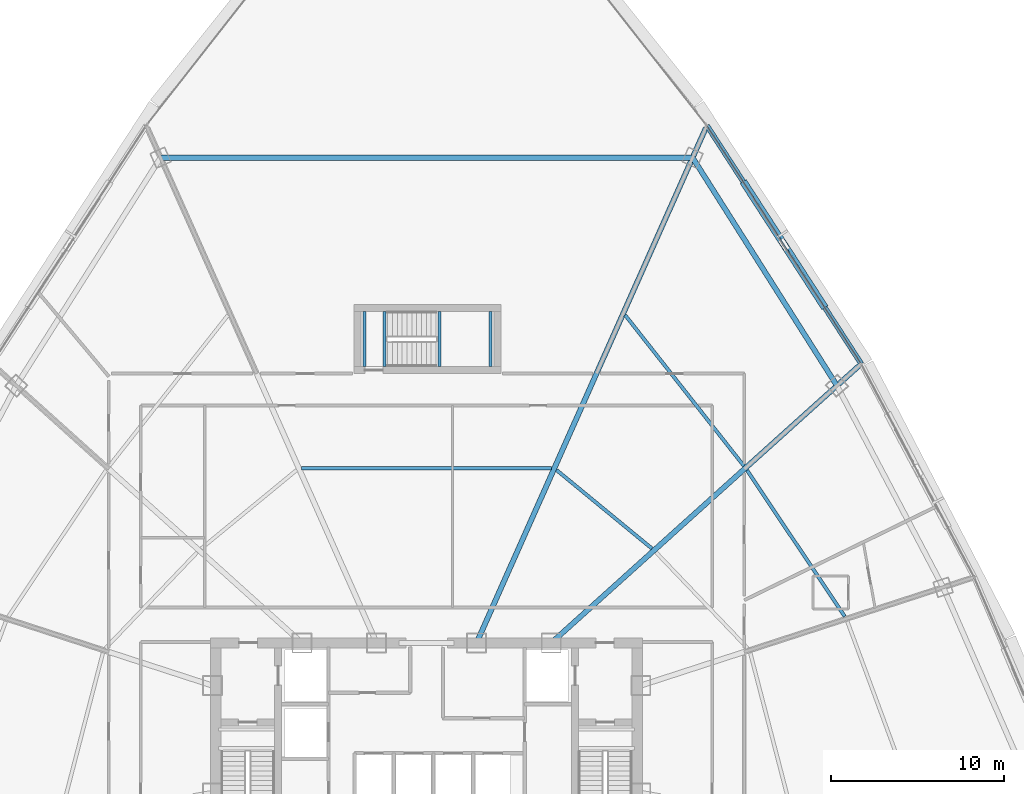
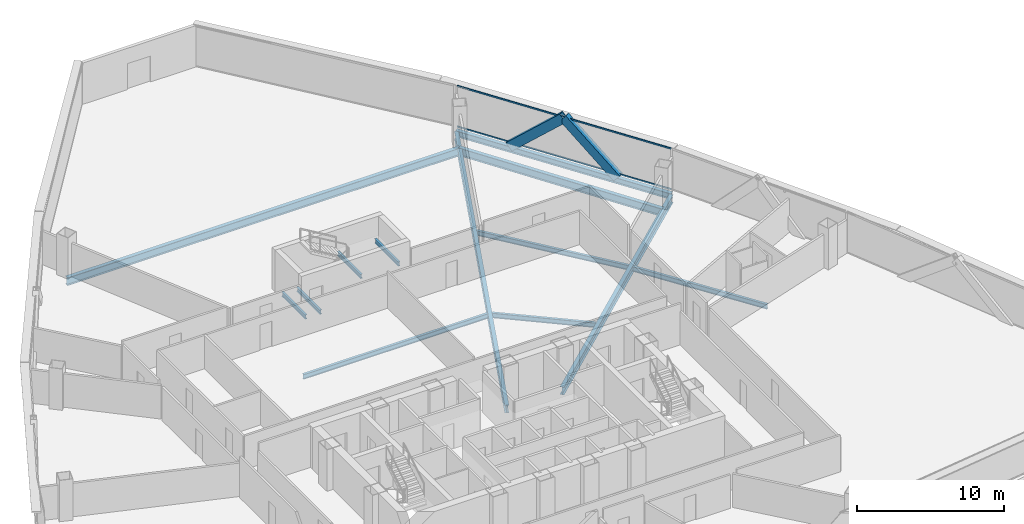
# One storey, part 19 of 42: 13 beams, 4 members, 1 element without a shape of its own.
"""IFC4 building model written with IfcOpenShell, lengths in metres."""

from ifc_helpers import new_model, si_unit, direction, frame, origin, origin_2d, place, context, subcontext, project, spatial, hollow_rectangle, i_section, extrude, source, transform, mapped, material, layer, layer_set, material_profile, profile_set, type_object, element, aggregate, save


model = new_model("IFC4")

# Units and contexts
model_context = context("Model", 3, precision=1e-05, world=origin(), true_north=direction((0.0, 1.0)))
body_context = subcontext(model_context, "Body", "Model", "MODEL_VIEW")
ifc_project = project(units=[si_unit("LENGTHUNIT", "METRE"), si_unit("AREAUNIT", "SQUARE_METRE"), si_unit("VOLUMEUNIT", "CUBIC_METRE"), si_unit("PLANEANGLEUNIT", "RADIAN"), si_unit("MASSUNIT", "GRAM", prefix="KILO"), si_unit("THERMODYNAMICTEMPERATUREUNIT", "KELVIN"), si_unit("POWERUNIT", "WATT")], contexts=[model_context])

# Site, building, storey
site_placement = place(None, origin())
site = spatial("IfcSite", under=ifc_project, at=site_placement, CompositionType="ELEMENT")
building_placement = place(site_placement, origin())
building = spatial("IfcBuilding", under=site, at=building_placement, Name="Yunzhuo Pagoda Commons", CompositionType="ELEMENT")
storey_placement = place(building_placement, frame((0.0, 0.0, 133.510009765625)))
storey = spatial("IfcBuildingStorey", under=building, at=storey_placement, Name="L33", CompositionType="ELEMENT", Elevation=133.510009765625)

# Beams
ifc_material_1 = material(Name="Structural steel Q355B", Category="steel")
ifc_material_profile_1 = material_profile(ifc_material_1, i_section(OverallWidth=0.175048828125, OverallDepth=0.35009765625, WebThickness=0.007080078125, FlangeThickness=0.010986328125, at=origin_2d()), Name="Structural steel Q355B")
ifc_profile_set_1 = profile_set([ifc_material_profile_1], Name="Structural steel Q355B")
beam_type_1 = type_object("IfcBeamType", Name="B-JS2 Joist HN 350x175x7x11", PredefinedType="JOIST", material=ifc_profile_set_1)
shared_shape_1 = source(origin(), body_context, "Body", "SweptSolid", [
    extrude(i_section(OverallWidth=0.175048828125, OverallDepth=0.35009765625, WebThickness=0.007080078125, FlangeThickness=0.010986328125, at=origin_2d()), origin(), (0.0, 0.0, 1.0), 3.199951171875),
])
for number, where, z_axis, x_axis, name in (
    (1, (48.75, 56.199951171875, 1.465087890625), (0.0, 1.0, 0.0), (-1.0, 0.0, 0.0), "L33 ST3 landing support beam 39A"),
    (2, (51.699951171875, 56.199951171875, 1.465087890625), (0.0, 1.0, 0.0), (-1.0, 0.0, 0.0), "L33 ST3 landing support beam 39B"),
    (3, (44.39990234375, 56.199951171875, -0.375), (0.0, 1.0, 0.0), (-1.0, 0.0, 0.0), "L33 ST3 landing support beam 107A"),
    (4, (45.550048828125, 56.199951171875, -0.375), (0.0, 1.0, 0.0), (-1.0, 0.0, 0.0), "L33 ST3 landing support beam 107B"),
):
    element("IfcBeam", number, at=place(storey_placement, frame(where, z_axis=z_axis, x_axis=x_axis)), inside=storey, type_object=beam_type_1, Name=name, PredefinedType="JOIST", context=body_context, shape_type="MappedRepresentation", body=[
        mapped(shared_shape_1, transform((0.0, 0.0, 0.0), scale=1.0)),
    ])
ifc_material_profile_2 = material_profile(ifc_material_1, i_section(OverallWidth=0.300048828125, OverallDepth=0.488037109375, WebThickness=0.010986328125, FlangeThickness=0.01806640625, at=origin_2d()), Name="Structural steel Q355B")
ifc_profile_set_2 = profile_set([ifc_material_profile_2], Name="Structural steel Q355B")
beam_type_2 = type_object("IfcBeamType", Name="B-SP1 Beam HM 488x300x11x18", PredefinedType="BEAM", material=ifc_profile_set_2)
shared_shape_2 = source(origin(), body_context, "Body", "SweptSolid", [
    extrude(i_section(OverallWidth=0.300048828125, OverallDepth=0.488037109375, WebThickness=0.010986328125, FlangeThickness=0.01806640625, at=origin_2d()), origin(), (0.0, 0.0, 1.0), 16.43994140625),
])
beam_1_placement = place(storey_placement, frame((73.173828125, 56.36669921875, -0.503662109375), z_axis=(-0.543751172909, 0.839246484627, 0.0), x_axis=(-0.839246484627, -0.543751172909, 0.0)))
element("IfcBeam", 5, at=beam_1_placement, inside=storey, type_object=beam_type_2, Name="L33 facade edge spandrel beam F2.3", PredefinedType="BEAM", context=body_context, shape_type="MappedRepresentation", body=[
    mapped(shared_shape_2, transform((0.0, 0.0, 0.0), scale=1.0)),
])
ifc_material_profile_3 = material_profile(ifc_material_1, i_section(OverallWidth=0.300048828125, OverallDepth=0.64990234375, WebThickness=0.012939453125, FlangeThickness=0.02197265625, at=origin_2d()), Name="Structural steel Q355B")
ifc_profile_set_3 = profile_set([ifc_material_profile_3], Name="Structural steel Q355B")
beam_type_3 = type_object("IfcBeamType", Name="B-RG2 Beam HN 650x300x13x22", PredefinedType="BEAM", material=ifc_profile_set_3)
shared_shape_3 = source(origin(), body_context, "Body", "SweptSolid", [
    extrude(i_section(OverallWidth=0.300048828125, OverallDepth=0.64990234375, WebThickness=0.012939453125, FlangeThickness=0.02197265625, at=origin_2d()), origin(), (0.0, 0.0, 1.0), 24.005859375),
])
beam_2_placement = place(storey_placement, frame((73.05859375, 56.26318359375, -0.5849609375), z_axis=(-0.743136854915, -0.66913945846, 0.0), x_axis=(0.66913945846, -0.743136854915, 0.0)))
element("IfcBeam", 6, at=beam_2_placement, inside=storey, type_object=beam_type_3, Name="L33 radial floor girder F2C3", PredefinedType="BEAM", context=body_context, shape_type="MappedRepresentation", body=[
    mapped(shared_shape_3, transform((0.0, 0.0, 0.0), scale=1.0)),
])
shared_shape_4 = source(origin(), body_context, "Body", "SweptSolid", [
    extrude(i_section(OverallWidth=0.300048828125, OverallDepth=0.64990234375, WebThickness=0.012939453125, FlangeThickness=0.02197265625, at=origin_2d()), origin(), (0.0, 0.0, 1.0), 32.64453125),
])
beam_3_placement = place(storey_placement, frame((64.171630859375, 70.022216796875, -0.5849609375), z_axis=(-0.406733058142, -0.91354705375, 0.0), x_axis=(0.91354705375, -0.406733058142, 0.0)))
element("IfcBeam", 7, at=beam_3_placement, inside=storey, type_object=beam_type_3, Name="L33 radial floor girder F2C4", PredefinedType="BEAM", context=body_context, shape_type="MappedRepresentation", body=[
    mapped(shared_shape_4, transform((0.0, 0.0, 0.0), scale=1.0)),
])
ifc_material_profile_4 = material_profile(ifc_material_1, i_section(OverallWidth=0.199951171875, OverallDepth=0.39990234375, WebThickness=0.008056640625, FlangeThickness=0.012939453125, at=origin_2d()), Name="Structural steel Q355B")
ifc_profile_set_4 = profile_set([ifc_material_profile_4], Name="Structural steel Q355B")
beam_type_4 = type_object("IfcBeamType", Name="B-JS1 Joist HN 400x200x8x13", PredefinedType="JOIST", material=ifc_profile_set_4)
shared_shape_5 = source(origin(), body_context, "Body", "SweptSolid", [
    extrude(i_section(OverallWidth=0.199951171875, OverallDepth=0.39990234375, WebThickness=0.008056640625, FlangeThickness=0.012939453125, at=origin_2d()), origin(), (0.0, 0.0, 1.0), 10.186767578125),
])
beam_4_placement = place(storey_placement, frame((72.221923828125, 41.731201171875, -0.4599609375), z_axis=(-0.555872145938, 0.831267801235, 0.0), x_axis=(-0.831267801235, -0.555872145938, 0.0)))
element("IfcBeam", 8, at=beam_4_placement, inside=storey, type_object=beam_type_4, Name="L33 composite ring joist 2.6", PredefinedType="JOIST", context=body_context, shape_type="MappedRepresentation", body=[
    mapped(shared_shape_5, transform((0.0, 0.0, 0.0), scale=1.0)),
])
shared_shape_6 = source(origin(), body_context, "Body", "SweptSolid", [
    extrude(i_section(OverallWidth=0.300048828125, OverallDepth=0.64990234375, WebThickness=0.012939453125, FlangeThickness=0.02197265625, at=origin_2d()), origin(), (0.0, 0.0, 1.0), 15.627685546875),
])
beam_5_placement = place(storey_placement, frame((71.76611328125, 55.09912109375, -0.5849609375), z_axis=(-0.534952471728, 0.844882153316, 0.0), x_axis=(-0.844882153316, -0.534952471728, 0.0)))
element("IfcBeam", 9, at=beam_5_placement, inside=storey, type_object=beam_type_3, Name="L33 column-ring beam 7", PredefinedType="BEAM", context=body_context, shape_type="MappedRepresentation", body=[
    mapped(shared_shape_6, transform((0.0, 0.0, 0.0), scale=1.0)),
])
shared_shape_7 = source(origin(), body_context, "Body", "SweptSolid", [
    extrude(i_section(OverallWidth=0.199951171875, OverallDepth=0.39990234375, WebThickness=0.008056640625, FlangeThickness=0.012939453125, at=origin_2d()), origin(), (0.0, 0.0, 1.0), 7.163818359375),
])
beam_6_placement = place(storey_placement, frame((61.05322265625, 45.664794921875, -0.4599609375), z_axis=(-0.772234119563, 0.635338071095, 0.0), x_axis=(-0.635338071095, -0.772234119563, 0.0)))
element("IfcBeam", 10, at=beam_6_placement, inside=storey, type_object=beam_type_4, Name="L33 composite ring joist 1.7", PredefinedType="JOIST", context=body_context, shape_type="MappedRepresentation", body=[
    mapped(shared_shape_7, transform((0.0, 0.0, 0.0), scale=1.0)),
])
shared_shape_8 = source(origin(), body_context, "Body", "SweptSolid", [
    extrude(i_section(OverallWidth=0.199951171875, OverallDepth=0.39990234375, WebThickness=0.008056640625, FlangeThickness=0.012939453125, at=origin_2d()), origin(), (0.0, 0.0, 1.0), 11.109375),
])
beam_7_placement = place(storey_placement, frame((66.372802734375, 50.456298828125, -0.4599609375), z_axis=(-0.618600596935, 0.785705607382, 0.0), x_axis=(-0.785705607382, -0.618600596935, 0.0)))
element("IfcBeam", 11, at=beam_7_placement, inside=storey, type_object=beam_type_4, Name="L33 composite ring joist 2.7", PredefinedType="JOIST", context=body_context, shape_type="MappedRepresentation", body=[
    mapped(shared_shape_8, transform((0.0, 0.0, 0.0), scale=1.0)),
])
shared_shape_9 = source(origin(), body_context, "Body", "SweptSolid", [
    extrude(i_section(OverallWidth=0.300048828125, OverallDepth=0.64990234375, WebThickness=0.012939453125, FlangeThickness=0.02197265625, at=origin_2d()), origin(), (0.0, 0.0, 1.0), 30.81201171875),
])
beam_8_placement = place(storey_placement, frame((63.406005859375, 68.302734375, -0.5849609375), z_axis=(-1.0, 0.0, 0.0), x_axis=(0.0, -1.0, 0.0)))
element("IfcBeam", 12, at=beam_8_placement, inside=storey, type_object=beam_type_3, Name="L33 column-ring beam 8", PredefinedType="BEAM", context=body_context, shape_type="MappedRepresentation", body=[
    mapped(shared_shape_9, transform((0.0, 0.0, 0.0), scale=1.0)),
])
shared_shape_10 = source(origin(), body_context, "Body", "SweptSolid", [
    extrude(i_section(OverallWidth=0.199951171875, OverallDepth=0.39990234375, WebThickness=0.008056640625, FlangeThickness=0.012939453125, at=origin_2d()), origin(), (0.0, 0.0, 1.0), 14.47900390625),
])
beam_9_placement = place(storey_placement, frame((55.239501953125, 50.317138671875, -0.4599609375), z_axis=(-1.0, 0.0, 0.0), x_axis=(0.0, -1.0, 0.0)))
element("IfcBeam", 13, at=beam_9_placement, inside=storey, type_object=beam_type_4, Name="L33 composite ring joist 1.8", PredefinedType="JOIST", context=body_context, shape_type="MappedRepresentation", body=[
    mapped(shared_shape_10, transform((0.0, 0.0, 0.0), scale=1.0)),
])

# Members
ifc_material_2 = material(Name="Structural steel Q420B", Category="steel")
ifc_material_profile_5 = material_profile(ifc_material_2, hollow_rectangle(XDim=0.419921875, YDim=0.719970703125, WallThickness=0.028076171875, at=origin_2d()), Name="Structural steel Q420B")
ifc_profile_set_5 = profile_set([ifc_material_profile_5], Name="Structural steel Q420B")
member_type_1 = type_object("IfcMemberType", Name="M-DL1 Brace BOX 720x420x28", PredefinedType="BRACE", material=ifc_profile_set_5)
shared_shape_11 = source(origin(), body_context, "Body", "SweptSolid", [
    extrude(hollow_rectangle(XDim=0.419921875, YDim=0.719970703125, WallThickness=0.028076171875, at=origin_2d()), origin(), (0.0, 0.0, 1.0), 5.5166015625),
])
member_1_placement = place(storey_placement, frame((70.93896484375, 59.81591796875, -0.260009765625), z_axis=(-0.405074111486, 0.625247137231, 0.667068948152), x_axis=(-0.839262424765, -0.543726569498, 0.0)))
element("IfcMember", 14, at=member_1_placement, inside=storey, type_object=member_type_1, Name="L33 facade diamond brace F2.3L", PredefinedType="BRACE", context=body_context, shape_type="MappedRepresentation", body=[
    mapped(shared_shape_11, transform((0.0, 0.0, 0.0), scale=1.0)),
])
shared_shape_12 = source(origin(), body_context, "Body", "SweptSolid", [
    extrude(hollow_rectangle(XDim=0.419921875, YDim=0.719970703125, WallThickness=0.028076171875, at=origin_2d()), origin(), (0.0, 0.0, 1.0), 5.516845703125),
])
member_2_placement = place(storey_placement, frame((66.469482421875, 66.714599609375, -0.260009765625), z_axis=(0.405099895343, -0.625262881943, 0.667038532063), x_axis=(0.839252879718, 0.543741302353, 0.0)))
element("IfcMember", 15, at=member_2_placement, inside=storey, type_object=member_type_1, Name="L33 facade diamond brace F2.3R", PredefinedType="BRACE", context=body_context, shape_type="MappedRepresentation", body=[
    mapped(shared_shape_12, transform((0.0, 0.0, 0.0), scale=1.0)),
])

# Curtain wall, members
ifc_material_3 = material(Name="Anodized aluminium 6063-T6", Category="aluminium")
ifc_layer = layer(ifc_material_3, 0.14990234375)
ifc_layer_set = layer_set([ifc_layer], Name="Anodized aluminium 6063-T6")
curtain_wall_type = type_object("IfcCurtainWallType", Name="CW-MID Mid-Zone Ribbon Curtain Wall", PredefinedType="NOTDEFINED", material=ifc_layer_set)
curtain_wall_placement = place(storey_placement, origin())
curtain_wall = element("IfcCurtainWall", 16, at=curtain_wall_placement, inside=storey, type_object=curtain_wall_type, Name="L33 curtain wall CW-L33-F2B4", PredefinedType="NOTDEFINED")
ifc_material_profile_6 = material_profile(ifc_material_3, hollow_rectangle(XDim=0.054931640625, YDim=0.1298828125, WallThickness=0.00341796875, at=origin_2d()), Name="Anodized aluminium 6063-T6")
ifc_profile_set_6 = profile_set([ifc_material_profile_6], Name="Anodized aluminium 6063-T6")
member_type_2 = type_object("IfcMemberType", Name="CW-MID-T Transom RHS 130x55x3.5", PredefinedType="USERDEFINED", material=ifc_profile_set_6)
shared_shape_13 = source(origin(), body_context, "Body", "SweptSolid", [
    extrude(hollow_rectangle(XDim=0.054931640625, YDim=0.1298828125, WallThickness=0.00341796875, at=origin_2d()), origin(), (0.0, 0.0, 1.0), 16.319580078125),
])
member_3_placement = place(storey_placement, frame((73.14111328125, 56.4169921875, 0.027587890625), z_axis=(-0.543746793414, 0.839249322104, 0.0), x_axis=(-0.839249322104, -0.543746793414, 0.0)))
member_3 = element("IfcMember", 17, at=member_3_placement, type_object=member_type_2, Name="CW transom 1.1", ObjectType="TRANSOM", PredefinedType="USERDEFINED", context=body_context, shape_type="MappedRepresentation", body=[
    mapped(shared_shape_13, transform((0.0, 0.0, 0.0), scale=1.0)),
])
member_4_placement = place(storey_placement, frame((73.14111328125, 56.4169921875, 3.392578125), z_axis=(-0.543746793414, 0.839249322104, 0.0), x_axis=(-0.839249322104, -0.543746793414, 0.0)))
member_4 = element("IfcMember", 18, at=member_4_placement, type_object=member_type_2, Name="CW transom 1.2", ObjectType="TRANSOM", PredefinedType="USERDEFINED", context=body_context, shape_type="MappedRepresentation", body=[
    mapped(shared_shape_13, transform((0.0, 0.0, 0.0), scale=1.0)),
])
aggregate(curtain_wall, [member_3, member_4])

save(model, "model.ifc")
